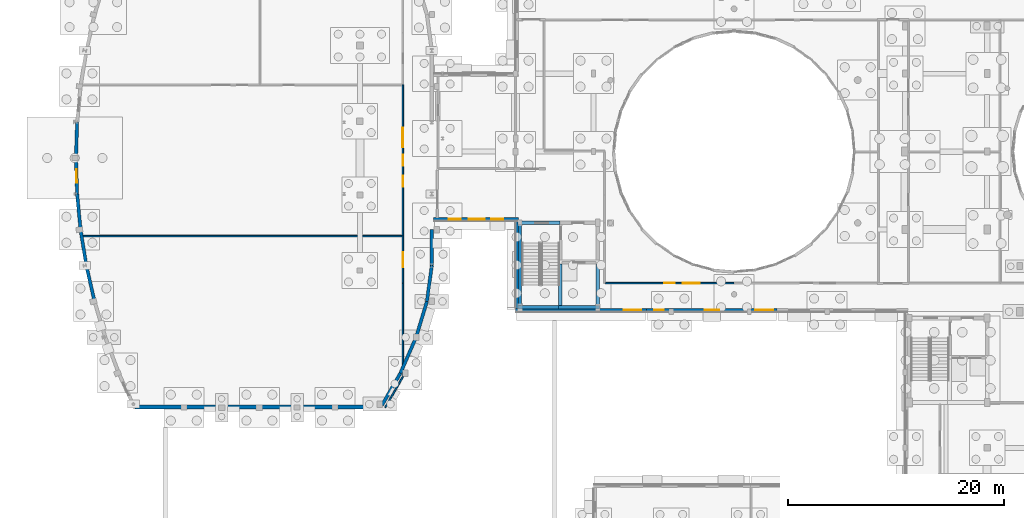
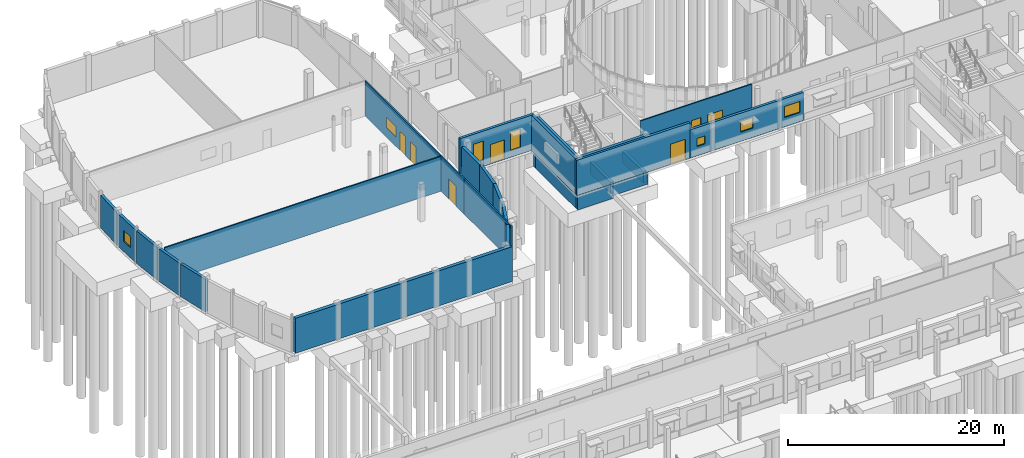
# One storey, part 63 of 93: 29 walls, 8 windows, 6 doors, 14 openings.
"""IFC4 building model written with IfcOpenShell, lengths in metres."""

from ifc_helpers import new_model, si_unit, direction, frame, frame_2d, origin, place, context, subcontext, project, spatial, rectangle, extrude, material, layer, layer_set, type_object, element, fill, save


model = new_model("IFC4")

# Units and contexts
model_context = context("Model", 3, precision=1e-05, world=origin(), true_north=direction((0.0, 1.0)))
body_context = subcontext(model_context, "Body", "Model", "MODEL_VIEW")
ifc_project = project(units=[si_unit("LENGTHUNIT", "METRE"), si_unit("AREAUNIT", "SQUARE_METRE"), si_unit("VOLUMEUNIT", "CUBIC_METRE"), si_unit("PLANEANGLEUNIT", "RADIAN"), si_unit("MASSUNIT", "GRAM", prefix="KILO")], contexts=[model_context])

# Site, building, storey
site_placement = place(None, origin())
site = spatial("IfcSite", under=ifc_project, at=site_placement, CompositionType="ELEMENT")
building_placement = place(site_placement, origin())
building = spatial("IfcBuilding", under=site, at=building_placement, Name="Kelanivale Promenade Academy", CompositionType="ELEMENT")
storey_placement = place(building_placement, origin())
storey = spatial("IfcBuildingStorey", under=building, at=storey_placement, Name="L00", CompositionType="ELEMENT", Elevation=0.0)

# Walls
ifc_material_1 = material(Name="Concrete C40/50", Category="concrete")
ifc_layer_1 = layer(ifc_material_1, 0.330078125)
ifc_layer_set_1 = layer_set([ifc_layer_1], Name="Concrete C40/50")
wall_type_1 = type_object("IfcWallType", Name="CW-S1 Wall 330mm", PredefinedType="SHEAR", material=ifc_layer_set_1)
wall_1_placement = place(storey_placement, frame((47.155029296875, 42.39990234375, -1.550048828125), z_axis=(0.0, 0.0, 1.0), x_axis=(1.0, 0.0, 0.0)))
element("IfcWall", 1, at=wall_1_placement, inside=storey, type_object=wall_type_1, Name="CORE-6 lift pit wall", PredefinedType="SHEAR", context=body_context, shape_type="SweptSolid", body=[
    extrude(rectangle(XDim=3.81005859375, YDim=0.330078125, at=frame_2d((1.905029296875, 0.0))), origin(), (0.0, 0.0, 1.0), 1.300048828125),
])
for number, where, z_axis, x_axis, name in (
    (2, (47.320068359375, 42.56494140625, -1.550048828125), (0.0, 0.0, 1.0), (0.0, 1.0, 0.0), "CORE-6 lift pit wall"),
    (3, (50.800048828125, 42.56494140625, -1.550048828125), (0.0, 0.0, 1.0), (0.0, 1.0, 0.0), "CORE-6 lift pit wall"),
):
    element("IfcWall", number, at=place(storey_placement, frame(where, z_axis=z_axis, x_axis=x_axis)), inside=storey, type_object=wall_type_1, Name=name, PredefinedType="SHEAR", context=body_context, shape_type="SweptSolid", body=[
        extrude(rectangle(XDim=3.860107421875, YDim=0.330078125, at=frame_2d((1.93017578125, 0.0))), origin(), (0.0, 0.0, 1.0), 1.300048828125),
    ])
wall_2_placement = place(storey_placement, frame((43.60009765625, 42.56494140625, -1.85009765625), z_axis=(0.0, 0.0, 1.0), x_axis=(0.0, 1.0, 0.0)))
element("IfcWall", 4, at=wall_2_placement, inside=storey, type_object=wall_type_1, Name="CORE-6 core raft starter wall", PredefinedType="SHEAR", context=body_context, shape_type="SweptSolid", body=[
    extrude(rectangle(XDim=7.469970703125, YDim=0.330078125, at=frame_2d((3.73486328125, 0.0))), origin(), (0.0, 0.0, 1.0), 1.60009765625),
])
for number, where, z_axis, x_axis, name in (
    (5, (43.43505859375, 42.39990234375, -1.85009765625), (0.0, 0.0, 1.0), (1.0, 0.0, 0.0), "CORE-6 core raft starter wall"),
    (6, (43.43505859375, 50.199951171875, -1.85009765625), (0.0, 0.0, 1.0), (1.0, 0.0, 0.0), "CORE-6 core raft starter wall"),
):
    element("IfcWall", number, at=place(storey_placement, frame(where, z_axis=z_axis, x_axis=x_axis)), inside=storey, type_object=wall_type_1, Name=name, PredefinedType="SHEAR", context=body_context, shape_type="SweptSolid", body=[
        extrude(rectangle(XDim=3.864990234375, YDim=0.330078125, at=frame_2d((1.9326171875, 0.0))), origin(), (0.0, 0.0, 1.0), 1.60009765625),
    ])
wall_3_placement = place(storey_placement, frame((43.43505859375, 42.39990234375, 0.0), z_axis=(0.0, 0.0, 1.0), x_axis=(1.0, 0.0, 0.0)))
element("IfcWall", 7, at=wall_3_placement, inside=storey, type_object=wall_type_1, Name="CORE-6 RC shear wall S L00", PredefinedType="SHEAR", context=body_context, shape_type="SweptSolid", body=[
    extrude(rectangle(XDim=7.530029296875, YDim=0.330078125, at=frame_2d((3.76513671875, 0.0))), origin(), (0.0, 0.0, 1.0), 3.97998046875),
])
wall_4_placement = place(storey_placement, frame((43.60009765625, 42.56494140625, 0.0), z_axis=(0.0, 0.0, 1.0), x_axis=(0.0, 1.0, 0.0)))
element("IfcWall", 8, at=wall_4_placement, inside=storey, type_object=wall_type_1, Name="CORE-6 RC shear wall W L00", PredefinedType="SHEAR", context=body_context, shape_type="SweptSolid", body=[
    extrude(rectangle(XDim=7.469970703125, YDim=0.330078125, at=frame_2d((3.73486328125, 0.0))), origin(), (0.0, 0.0, 1.0), 3.97998046875),
])
ifc_layer_2 = layer(ifc_material_1, 0.360107421875)
ifc_layer_set_2 = layer_set([ifc_layer_2], Name="Concrete C40/50")
wall_type_2 = type_object("IfcWallType", Name="ESW-01 Wall 360mm", PredefinedType="SHEAR", material=ifc_layer_set_2)
wall_5_placement = place(storey_placement, frame((8.011962890625, 33.179931640625, 0.0), z_axis=(0.0, 0.0, 1.0), x_axis=(1.0, 0.0, 0.0)))
element("IfcWall", 9, at=wall_5_placement, inside=storey, type_object=wall_type_2, Name="Sports Hall Crescent Pavilion gable wall L00", PredefinedType="SHEAR", context=body_context, shape_type="SweptSolid", body=[
    extrude(rectangle(XDim=23.137939453125, YDim=0.360107421875, at=frame_2d((11.56884765625, 0.0))), origin(), (0.0, 0.0, 1.0), 3.93505859375),
])
ifc_material_2 = material(Name="Insulated terracotta-clad masonry wall 300 mm", Category="masonry")
ifc_layer_3 = layer(ifc_material_2, 0.300048828125)
ifc_layer_set_3 = layer_set([ifc_layer_3], Name="Insulated terracotta-clad masonry wall 300 mm")
wall_type_3 = type_object("IfcWallType", Name="EW-01 Wall 300mm", PredefinedType="SOLIDWALL", material=ifc_layer_set_3)
wall_6_placement = place(storey_placement, frame((3.509033203125, 46.257080078125, 0.0), z_axis=(0.0, 0.0, 1.0), x_axis=(0.223259599234, -0.974759022195, 0.0)))
element("IfcWall", 10, at=wall_6_placement, inside=storey, type_object=wall_type_3, Name="Sports Hall Crescent Pavilion curved terracotta wall L00", PredefinedType="SOLIDWALL", context=body_context, shape_type="SweptSolid", body=[
    extrude(rectangle(XDim=3.399658203125, YDim=0.300048828125, at=frame_2d((1.69970703125, 0.0))), origin(), (0.0, 0.0, 1.0), 3.679931640625),
])
wall_7_placement = place(storey_placement, frame((2.97412109375, 49.571044921875, 0.0), z_axis=(0.0, 0.0, 1.0), x_axis=(0.159349054769, -0.987222304623, 0.0)))
element("IfcWall", 11, at=wall_7_placement, inside=storey, type_object=wall_type_3, Name="Sports Hall Crescent Pavilion curved terracotta wall L00", PredefinedType="SOLIDWALL", context=body_context, shape_type="SweptSolid", body=[
    extrude(rectangle(XDim=3.35693359375, YDim=0.300048828125, at=frame_2d((1.678466796875, 0.0))), origin(), (0.0, 0.0, 1.0), 3.679931640625),
])
wall_8_placement = place(storey_placement, frame((2.656005859375, 52.885986328125, 0.0), z_axis=(0.0, 0.0, 1.0), x_axis=(0.095525216858, -0.995427010355, 0.0)))
element("IfcWall", 12, at=wall_8_placement, inside=storey, type_object=wall_type_3, Name="Sports Hall Crescent Pavilion curved terracotta wall L00", PredefinedType="SOLIDWALL", context=body_context, shape_type="SweptSolid", body=[
    extrude(rectangle(XDim=3.330078125, YDim=0.300048828125, at=frame_2d((1.6650390625, 0.0))), origin(), (0.0, 0.0, 1.0), 3.679931640625),
])

# Wall, opening, window
wall_9_placement = place(storey_placement, frame((2.550048828125, 56.199951171875, 0.0), z_axis=(0.0, 0.0, 1.0), x_axis=(0.031956559473, -0.999489258725, 0.0)))
wall_9 = element("IfcWall", 13, at=wall_9_placement, inside=storey, type_object=wall_type_3, Name="Sports Hall Crescent Pavilion curved terracotta wall L00", PredefinedType="SOLIDWALL", context=body_context, shape_type="SweptSolid", body=[
    extrude(rectangle(XDim=3.315673828125, YDim=0.300048828125, at=frame_2d((1.65771484375, 0.0))), origin(), (0.0, 0.0, 1.0), 3.679931640625),
])
opening_1_placement = place(wall_9_placement, frame((1.032958984375, 0.0, 1.14990234375)))
opening_1 = element("IfcOpeningElement", 14, at=opening_1_placement, cuts=wall_9, Name="Opening WT-20", PredefinedType="OPENING", context=body_context, shape_type="SweptSolid", body=[
    extrude(rectangle(XDim=1.25, YDim=1.25, at=frame_2d((0.625, 0.625))), frame((0.0, 0.16015625, 0.0), z_axis=(0.0, -1.0, 0.0), x_axis=(1.0, 0.0, 0.0)), (0.0, 0.0, 1.0), 0.320068359375),
])
ifc_material_3 = material(Name="Bronze anodised aluminium frame with low-E laminated glass", Category="aluminium")
window_type_1 = type_object("IfcWindowType", Name="WT-20 Window 1250x1250", PartitioningType="SINGLE_PANEL", PredefinedType="WINDOW", material=ifc_material_3)
window_1_placement = place(opening_1_placement, origin())
window_1 = element("IfcWindow", 15, at=window_1_placement, inside=storey, type_object=window_type_1, Name="Window WT-20", OverallHeight=1.25, OverallWidth=1.25, PartitioningType="SINGLE_PANEL", PredefinedType="WINDOW", context=body_context, shape_type="SweptSolid", body=[
    extrude(rectangle(XDim=1.25, YDim=1.25, at=frame_2d((0.625, 0.625))), frame((0.0, 0.030029296875, 0.0), z_axis=(0.0, -1.0, 0.0), x_axis=(1.0, 0.0, 0.0)), (0.0, 0.0, 1.0), 0.06005859375),
])
fill(opening_1, window_1)

# Walls
wall_10_placement = place(storey_placement, frame((2.656005859375, 59.513916015625, 0.0), z_axis=(0.0, 0.0, 1.0), x_axis=(-0.031956559473, -0.999489258725, 0.0)))
element("IfcWall", 16, at=wall_10_placement, inside=storey, type_object=wall_type_3, Name="Sports Hall Crescent Pavilion curved terracotta wall L00", PredefinedType="SOLIDWALL", context=body_context, shape_type="SweptSolid", body=[
    extrude(rectangle(XDim=3.315673828125, YDim=0.300048828125, at=frame_2d((1.65771484375, 0.0))), origin(), (0.0, 0.0, 1.0), 3.679931640625),
])
wall_11_placement = place(storey_placement, frame((30.84912109375, 33.346923828125, 0.0), z_axis=(0.0, 0.0, 1.0), x_axis=(0.497345429475, 0.867552605771, 0.0)))
element("IfcWall", 17, at=wall_11_placement, inside=storey, type_object=wall_type_3, Name="Sports Hall Crescent Pavilion inner crescent wall L00", PredefinedType="SOLIDWALL", context=body_context, shape_type="SweptSolid", body=[
    extrude(rectangle(XDim=3.419921875, YDim=0.300048828125, at=frame_2d((1.7099609375, 0.0))), origin(), (0.0, 0.0, 1.0), 3.93505859375),
])
wall_12_placement = place(storey_placement, frame((32.550048828125, 36.31396484375, 0.0), z_axis=(0.0, 0.0, 1.0), x_axis=(0.400740958437, 0.916191401526, 0.0)))
element("IfcWall", 18, at=wall_12_placement, inside=storey, type_object=wall_type_3, Name="Sports Hall Crescent Pavilion inner crescent wall L00", PredefinedType="SOLIDWALL", context=body_context, shape_type="SweptSolid", body=[
    extrude(rectangle(XDim=3.6181640625, YDim=0.300048828125, at=frame_2d((1.80908203125, 0.0))), origin(), (0.0, 0.0, 1.0), 3.679931640625),
])
wall_13_placement = place(storey_placement, frame((34.0, 39.62890625, 0.0), z_axis=(0.0, 0.0, 1.0), x_axis=(0.288868004026, 0.957368934241, 0.0)))
element("IfcWall", 19, at=wall_13_placement, inside=storey, type_object=wall_type_3, Name="Sports Hall Crescent Pavilion inner crescent wall L00", PredefinedType="SOLIDWALL", context=body_context, shape_type="SweptSolid", body=[
    extrude(rectangle(XDim=3.461669921875, YDim=0.300048828125, at=frame_2d((1.73095703125, 0.0))), origin(), (0.0, 0.0, 1.0), 3.679931640625),
])
wall_14_placement = place(storey_placement, frame((35.0, 42.943115234375, 0.0), z_axis=(0.0, 0.0, 1.0), x_axis=(0.134539839792, 0.990908185206, 0.0)))
element("IfcWall", 20, at=wall_14_placement, inside=storey, type_object=wall_type_3, Name="Sports Hall Crescent Pavilion inner crescent wall L00", PredefinedType="SOLIDWALL", context=body_context, shape_type="SweptSolid", body=[
    extrude(rectangle(XDim=3.344482421875, YDim=0.300048828125, at=frame_2d((1.67236328125, 0.0))), origin(), (0.0, 0.0, 1.0), 3.679931640625),
])
wall_15_placement = place(storey_placement, frame((35.449951171875, 46.257080078125, 0.0), z_axis=(0.0, 0.0, 1.0), x_axis=(0.0, 1.0, 0.0)))
element("IfcWall", 21, at=wall_15_placement, inside=storey, type_object=wall_type_3, Name="Sports Hall Crescent Pavilion inner crescent wall L00", PredefinedType="SOLIDWALL", context=body_context, shape_type="SweptSolid", body=[
    extrude(rectangle(XDim=3.31396484375, YDim=0.300048828125, at=frame_2d((1.656982421875, 0.0))), origin(), (0.0, 0.0, 1.0), 3.679931640625),
])

# Wall, openings, door, windows
ifc_material_4 = material(Name="Insulated ivory stucco masonry wall 280 mm", Category="masonry")
ifc_layer_4 = layer(ifc_material_4, 0.280029296875)
ifc_layer_set_4 = layer_set([ifc_layer_4], Name="Insulated ivory stucco masonry wall 280 mm")
wall_type_4 = type_object("IfcWallType", Name="EW-02 Wall 280mm", PredefinedType="SOLIDWALL", material=ifc_layer_set_4)
wall_16_placement = place(storey_placement, frame((35.60009765625, 50.5400390625, 0.0), z_axis=(0.0, 0.0, 1.0), x_axis=(1.0, 0.0, 0.0)))
wall_16 = element("IfcWall", 22, at=wall_16_placement, inside=storey, type_object=wall_type_4, Name="L00 exterior facade wall EW-L00-ORT-0317", PredefinedType="SOLIDWALL", context=body_context, shape_type="SweptSolid", body=[
    extrude(rectangle(XDim=7.8798828125, YDim=0.280029296875, at=frame_2d((3.93994140625, 0.0))), origin(), (0.0, 0.0, 1.0), 3.97998046875),
])
opening_2_placement = place(wall_16_placement, frame((3.25, 0.0, 0.0)))
opening_2 = element("IfcOpeningElement", 23, at=opening_2_placement, cuts=wall_16, Name="Opening ED-10", PredefinedType="OPENING", context=body_context, shape_type="SweptSolid", body=[
    extrude(rectangle(XDim=1.5, YDim=2.199951171875, at=frame_2d((0.75, 1.10009765625))), frame((0.0, 0.14990234375, 0.0), z_axis=(0.0, -1.0, 0.0), x_axis=(1.0, 0.0, 0.0)), (0.0, 0.0, 1.0), 0.300048828125),
])
opening_3_placement = place(wall_16_placement, frame((1.419921875, 0.0, 0.75)))
opening_3 = element("IfcOpeningElement", 24, at=opening_3_placement, cuts=wall_16, Name="Opening WT-17", PredefinedType="OPENING", context=body_context, shape_type="SweptSolid", body=[
    extrude(rectangle(XDim=1.10009765625, YDim=2.10009765625, at=frame_2d((0.550048828125, 1.050048828125))), frame((0.0, 0.14990234375, 0.0), z_axis=(0.0, -1.0, 0.0), x_axis=(1.0, 0.0, 0.0)), (0.0, 0.0, 1.0), 0.300048828125),
])
opening_4_placement = place(wall_16_placement, frame((5.360107421875, 0.0, 0.75)))
opening_4 = element("IfcOpeningElement", 25, at=opening_4_placement, cuts=wall_16, Name="Opening WT-17", PredefinedType="OPENING", context=body_context, shape_type="SweptSolid", body=[
    extrude(rectangle(XDim=1.10009765625, YDim=2.10009765625, at=frame_2d((0.550048828125, 1.050048828125))), frame((0.0, 0.14990234375, 0.0), z_axis=(0.0, -1.0, 0.0), x_axis=(1.0, 0.0, 0.0)), (0.0, 0.0, 1.0), 0.300048828125),
])
ifc_material_5 = material(Name="Bronze anodised aluminium and laminated glass", Category="aluminium")
door_type_1 = type_object("IfcDoorType", Name="DT-X05 Door 1500x2200", OperationType="NOTDEFINED", PredefinedType="DOOR", material=ifc_material_5)
door_1_placement = place(opening_2_placement, frame((1.5, 0.0, 0.0), z_axis=(0.0, 0.0, 1.0), x_axis=(-1.0, 0.0, 0.0)))
door_1 = element("IfcDoor", 26, at=door_1_placement, inside=storey, type_object=door_type_1, Name="West Sports Foyer final exit door ED-10", OperationType="DOUBLE_DOOR_SINGLE_SWING", OverallHeight=2.199951171875, OverallWidth=1.5, PredefinedType="DOOR", context=body_context, shape_type="SweptSolid", body=[
    extrude(rectangle(XDim=1.5, YDim=2.199951171875, at=frame_2d((0.75, 1.10009765625))), frame((0.0, 0.02490234375, 0.0), z_axis=(0.0, -1.0, 0.0), x_axis=(1.0, 0.0, 0.0)), (0.0, 0.0, 1.0), 0.050048828125),
])
fill(opening_2, door_1)
window_type_2 = type_object("IfcWindowType", Name="WT-17 Window 1100x2100", PartitioningType="SINGLE_PANEL", PredefinedType="WINDOW", material=ifc_material_3)
window_2_placement = place(opening_3_placement, origin())
window_2 = element("IfcWindow", 27, at=window_2_placement, inside=storey, type_object=window_type_2, Name="Window WT-17", OverallHeight=2.10009765625, OverallWidth=1.10009765625, PartitioningType="SINGLE_PANEL", PredefinedType="WINDOW", context=body_context, shape_type="SweptSolid", body=[
    extrude(rectangle(XDim=1.10009765625, YDim=2.10009765625, at=frame_2d((0.550048828125, 1.050048828125))), frame((0.0, 0.030029296875, 0.0), z_axis=(0.0, -1.0, 0.0), x_axis=(1.0, 0.0, 0.0)), (0.0, 0.0, 1.0), 0.06005859375),
])
fill(opening_3, window_2)
window_3_placement = place(opening_4_placement, origin())
window_3 = element("IfcWindow", 28, at=window_3_placement, inside=storey, type_object=window_type_2, Name="Window WT-17", OverallHeight=2.10009765625, OverallWidth=1.10009765625, PartitioningType="SINGLE_PANEL", PredefinedType="WINDOW", context=body_context, shape_type="SweptSolid", body=[
    extrude(rectangle(XDim=1.10009765625, YDim=2.10009765625, at=frame_2d((0.550048828125, 1.050048828125))), frame((0.0, 0.030029296875, 0.0), z_axis=(0.0, -1.0, 0.0), x_axis=(1.0, 0.0, 0.0)), (0.0, 0.0, 1.0), 0.06005859375),
])
fill(opening_4, window_3)

# Wall
wall_17_placement = place(storey_placement, frame((43.340087890625, 50.39990234375, 0.0), z_axis=(0.0, 0.0, 1.0), x_axis=(0.0, -1.0, 0.0)))
element("IfcWall", 29, at=wall_17_placement, inside=storey, type_object=wall_type_4, Name="L00 exterior facade wall EW-L00-ORT-0318", PredefinedType="SOLIDWALL", context=body_context, shape_type="SweptSolid", body=[
    extrude(rectangle(XDim=8.119873046875, YDim=0.280029296875, at=frame_2d((4.06005859375, 0.0))), origin(), (0.0, 0.0, 1.0), 3.97998046875),
])

# Wall, opening, door
wall_18_placement = place(storey_placement, frame((43.199951171875, 42.139892578125, 0.0), z_axis=(0.0, 0.0, 1.0), x_axis=(1.0, 0.0, 0.0)))
wall_18 = element("IfcWall", 30, at=wall_18_placement, inside=storey, type_object=wall_type_4, Name="L00 exterior facade wall EW-L00-ORT-0319", PredefinedType="SOLIDWALL", context=body_context, shape_type="SweptSolid", body=[
    extrude(rectangle(XDim=12.093017578125, YDim=0.280029296875, at=frame_2d((6.04638671875, 0.0))), origin(), (0.0, 0.0, 1.0), 3.97998046875),
])
opening_5_placement = place(wall_18_placement, frame((10.0, 0.0, 0.0)))
opening_5 = element("IfcOpeningElement", 31, at=opening_5_placement, cuts=wall_18, Name="Opening ED-07", PredefinedType="OPENING", context=body_context, shape_type="SweptSolid", body=[
    extrude(rectangle(XDim=1.60009765625, YDim=2.300048828125, at=frame_2d((0.800048828125, 1.14990234375))), frame((0.0, 0.14990234375, 0.0), z_axis=(0.0, -1.0, 0.0), x_axis=(1.0, 0.0, 0.0)), (0.0, 0.0, 1.0), 0.300048828125),
])
door_type_2 = type_object("IfcDoorType", Name="DT-X02 Door 1600x2300", OperationType="NOTDEFINED", PredefinedType="DOOR", material=ifc_material_5)
door_2_placement = place(opening_5_placement, frame((1.60009765625, 0.0, 0.0), z_axis=(0.0, 0.0, 1.0), x_axis=(-1.0, 0.0, 0.0)))
door_2 = element("IfcDoor", 32, at=door_2_placement, inside=storey, type_object=door_type_2, Name="South-west courtyard exit discharge door ED-07", OperationType="DOUBLE_DOOR_SINGLE_SWING", OverallHeight=2.300048828125, OverallWidth=1.60009765625, PredefinedType="DOOR", context=body_context, shape_type="SweptSolid", body=[
    extrude(rectangle(XDim=1.60009765625, YDim=2.300048828125, at=frame_2d((0.800048828125, 1.14990234375))), frame((0.0, 0.02490234375, 0.0), z_axis=(0.0, -1.0, 0.0), x_axis=(1.0, 0.0, 0.0)), (0.0, 0.0, 1.0), 0.050048828125),
])
fill(opening_5, door_2)

# Wall, openings, windows
wall_19_placement = place(storey_placement, frame((55.29296875, 42.139892578125, 0.0), z_axis=(0.0, 0.0, 1.0), x_axis=(1.0, 0.0, 0.0)))
wall_19 = element("IfcWall", 33, at=wall_19_placement, inside=storey, type_object=wall_type_4, Name="L00 exterior facade wall EW-L00-ORT-0320", PredefinedType="SOLIDWALL", context=body_context, shape_type="SweptSolid", body=[
    extrude(rectangle(XDim=12.093994140625, YDim=0.280029296875, at=frame_2d((6.046875, 0.0))), origin(), (0.0, 0.0, 1.0), 3.175048828125),
])
opening_6_placement = place(wall_19_placement, frame((0.716064453125, 0.0, 1.050048828125)))
opening_6 = element("IfcOpeningElement", 34, at=opening_6_placement, cuts=wall_19, Name="Opening WT-10", PredefinedType="OPENING", context=body_context, shape_type="SweptSolid", body=[
    extrude(rectangle(XDim=0.89990234375, YDim=0.89990234375, at=frame_2d((0.449951171875, 0.449951171875))), frame((0.0, 0.14990234375, 0.0), z_axis=(0.0, -1.0, 0.0), x_axis=(1.0, 0.0, 0.0)), (0.0, 0.0, 1.0), 0.300048828125),
])
opening_7_placement = place(wall_19_placement, frame((5.3720703125, 0.0, 1.050048828125)))
opening_7 = element("IfcOpeningElement", 35, at=opening_7_placement, cuts=wall_19, Name="Opening WT-34", PredefinedType="OPENING", context=body_context, shape_type="SweptSolid", body=[
    extrude(rectangle(XDim=1.35009765625, YDim=1.199951171875, at=frame_2d((0.675048828125, 0.60009765625))), frame((0.0, 0.14990234375, 0.0), z_axis=(0.0, -1.0, 0.0), x_axis=(1.0, 0.0, 0.0)), (0.0, 0.0, 1.0), 0.300048828125),
])
opening_8_placement = place(wall_19_placement, frame((10.083984375, 0.0, 1.050048828125)))
opening_8 = element("IfcOpeningElement", 36, at=opening_8_placement, cuts=wall_19, Name="Opening WT-35", PredefinedType="OPENING", context=body_context, shape_type="SweptSolid", body=[
    extrude(rectangle(XDim=1.64990234375, YDim=1.25, at=frame_2d((0.824951171875, 0.625))), frame((0.0, 0.14990234375, 0.0), z_axis=(0.0, -1.0, 0.0), x_axis=(1.0, 0.0, 0.0)), (0.0, 0.0, 1.0), 0.300048828125),
])
window_type_3 = type_object("IfcWindowType", Name="WT-10 Window 900x900", PartitioningType="SINGLE_PANEL", PredefinedType="WINDOW", material=ifc_material_3)
window_4_placement = place(opening_6_placement, origin())
window_4 = element("IfcWindow", 37, at=window_4_placement, inside=storey, type_object=window_type_3, Name="Window WT-10", OverallHeight=0.89990234375, OverallWidth=0.89990234375, PartitioningType="SINGLE_PANEL", PredefinedType="WINDOW", context=body_context, shape_type="SweptSolid", body=[
    extrude(rectangle(XDim=0.89990234375, YDim=0.89990234375, at=frame_2d((0.449951171875, 0.449951171875))), frame((0.0, 0.030029296875, 0.0), z_axis=(0.0, -1.0, 0.0), x_axis=(1.0, 0.0, 0.0)), (0.0, 0.0, 1.0), 0.06005859375),
])
fill(opening_6, window_4)
window_type_4 = type_object("IfcWindowType", Name="WT-34 Window 1350x1200", PartitioningType="SINGLE_PANEL", PredefinedType="WINDOW", material=ifc_material_3)
window_5_placement = place(opening_7_placement, origin())
window_5 = element("IfcWindow", 38, at=window_5_placement, inside=storey, type_object=window_type_4, Name="Window WT-34", OverallHeight=1.199951171875, OverallWidth=1.35009765625, PartitioningType="SINGLE_PANEL", PredefinedType="WINDOW", context=body_context, shape_type="SweptSolid", body=[
    extrude(rectangle(XDim=1.35009765625, YDim=1.199951171875, at=frame_2d((0.675048828125, 0.60009765625))), frame((0.0, 0.030029296875, 0.0), z_axis=(0.0, -1.0, 0.0), x_axis=(1.0, 0.0, 0.0)), (0.0, 0.0, 1.0), 0.06005859375),
])
fill(opening_7, window_5)
window_type_5 = type_object("IfcWindowType", Name="WT-35 Window 1650x1250", PartitioningType="SINGLE_PANEL", PredefinedType="WINDOW", material=ifc_material_3)
window_6_placement = place(opening_8_placement, origin())
window_6 = element("IfcWindow", 39, at=window_6_placement, inside=storey, type_object=window_type_5, Name="Window WT-35", OverallHeight=1.25, OverallWidth=1.64990234375, PartitioningType="SINGLE_PANEL", PredefinedType="WINDOW", context=body_context, shape_type="SweptSolid", body=[
    extrude(rectangle(XDim=1.64990234375, YDim=1.25, at=frame_2d((0.824951171875, 0.625))), frame((0.0, 0.030029296875, 0.0), z_axis=(0.0, -1.0, 0.0), x_axis=(1.0, 0.0, 0.0)), (0.0, 0.0, 1.0), 0.06005859375),
])
fill(opening_8, window_6)

# Walls
ifc_material_6 = material(Name="Acoustic double-stud gypsum board partition 140 mm", Category="masonry")
ifc_layer_5 = layer(ifc_material_6, 0.139892578125)
ifc_layer_set_5 = layer_set([ifc_layer_5], Name="Acoustic double-stud gypsum board partition 140 mm")
wall_type_5 = type_object("IfcWallType", Name="IW-04 Wall 140mm", PredefinedType="PARTITIONING", material=ifc_layer_set_5)
wall_20_placement = place(storey_placement, frame((31.14892578125, 33.139892578125, 0.0), z_axis=(0.0, 0.0, 1.0), x_axis=(0.497558552909, 0.867430392843, 0.0)))
element("IfcWall", 40, at=wall_20_placement, inside=storey, type_object=wall_type_5, Name="L00 partition Dance Movement Studio", PredefinedType="PARTITIONING", context=body_context, shape_type="SweptSolid", body=[
    extrude(rectangle(XDim=3.258056640625, YDim=0.139892578125, at=frame_2d((1.62890625, 0.0))), origin(), (0.0, 0.0, 1.0), 3.929931640625),
])
wall_21_placement = place(storey_placement, frame((32.77001953125, 35.966064453125, 0.0), z_axis=(0.0, 0.0, 1.0), x_axis=(0.0, 1.0, 0.0)))
element("IfcWall", 41, at=wall_21_placement, inside=storey, type_object=wall_type_5, Name="L00 partition Dance Movement Studio", PredefinedType="PARTITIONING", context=body_context, shape_type="SweptSolid", body=[
    extrude(rectangle(XDim=8.663818359375, YDim=0.139892578125, at=frame_2d((4.33203125, 0.0))), origin(), (0.0, 0.0, 1.0), 3.929931640625),
])

# Wall, opening, door
wall_22_placement = place(storey_placement, frame((32.77001953125, 44.6298828125, 0.0), z_axis=(0.0, 0.0, 1.0), x_axis=(0.0, 1.0, 0.0)))
wall_22 = element("IfcWall", 42, at=wall_22_placement, inside=storey, type_object=wall_type_5, Name="L00 partition Dance Movement Studio", PredefinedType="PARTITIONING", context=body_context, shape_type="SweptSolid", body=[
    extrude(rectangle(XDim=4.340087890625, YDim=0.139892578125, at=frame_2d((2.169921875, 0.0))), origin(), (0.0, 0.0, 1.0), 3.929931640625),
])
opening_9_placement = place(wall_22_placement, frame((1.4951171875, 0.0, 0.0)))
opening_9 = element("IfcOpeningElement", 43, at=opening_9_placement, cuts=wall_22, Name="Opening ID-L00-010", PredefinedType="OPENING", context=body_context, shape_type="SweptSolid", body=[
    extrude(rectangle(XDim=1.35009765625, YDim=2.25, at=frame_2d((0.675048828125, 1.125))), frame((0.0, 0.080078125, 0.0), z_axis=(0.0, -1.0, 0.0), x_axis=(1.0, 0.0, 0.0)), (0.0, 0.0, 1.0), 0.159912109375),
])
ifc_material_7 = material(Name="Solid-core tropical teak timber", Category="wood")
door_type_3 = type_object("IfcDoorType", Name="DT-I13 Door 1350x2250", OperationType="NOTDEFINED", PredefinedType="DOOR", material=ifc_material_7)
door_3_placement = place(opening_9_placement, origin())
door_3 = element("IfcDoor", 44, at=door_3_placement, inside=storey, type_object=door_type_3, Name="Dance Movement Studio door ID-L00-010", OperationType="DOUBLE_DOOR_SINGLE_SWING", OverallHeight=2.25, OverallWidth=1.35009765625, PredefinedType="DOOR", context=body_context, shape_type="SweptSolid", body=[
    extrude(rectangle(XDim=1.35009765625, YDim=2.25, at=frame_2d((0.675048828125, 1.125))), frame((0.0, 0.02490234375, 0.0), z_axis=(0.0, -1.0, 0.0), x_axis=(1.0, 0.0, 0.0)), (0.0, 0.0, 1.0), 0.050048828125),
])
fill(opening_9, door_3)

# Wall
wall_23_placement = place(storey_placement, frame((32.701904296875, 48.969970703125, 0.0), z_axis=(0.0, 0.0, 1.0), x_axis=(-1.0, 0.0, 0.0)))
element("IfcWall", 45, at=wall_23_placement, inside=storey, type_object=wall_type_5, Name="L00 partition Dance Movement Studio", PredefinedType="PARTITIONING", context=body_context, shape_type="SweptSolid", body=[
    extrude(rectangle(XDim=29.48095703125, YDim=0.139892578125, at=frame_2d((14.740478515625, 0.0))), origin(), (0.0, 0.0, 1.0), 3.929931640625),
])

# Wall, openings, doors, window
wall_24_placement = place(storey_placement, frame((32.77001953125, 49.030029296875, 0.0), z_axis=(0.0, 0.0, 1.0), x_axis=(0.0, 1.0, 0.0)))
wall_24 = element("IfcWall", 46, at=wall_24_placement, inside=storey, type_object=wall_type_5, Name="L00 partition PE Fitness Studio", PredefinedType="PARTITIONING", context=body_context, shape_type="SweptSolid", body=[
    extrude(rectangle(XDim=13.93994140625, YDim=0.139892578125, at=frame_2d((6.969970703125, 0.0))), origin(), (0.0, 0.0, 1.0), 3.929931640625),
])
opening_10_placement = place(wall_24_placement, frame((6.4599609375, 0.0, 0.0)))
opening_10 = element("IfcOpeningElement", 47, at=opening_10_placement, cuts=wall_24, Name="Opening ID-L00-011", PredefinedType="OPENING", context=body_context, shape_type="SweptSolid", body=[
    extrude(rectangle(XDim=1.02001953125, YDim=2.139892578125, at=frame_2d((0.510009765625, 1.06982421875))), frame((0.0, 0.080078125, 0.0), z_axis=(0.0, -1.0, 0.0), x_axis=(1.0, 0.0, 0.0)), (0.0, 0.0, 1.0), 0.159912109375),
])
opening_11_placement = place(wall_24_placement, frame((4.52197265625, 0.0, 0.0)))
opening_11 = element("IfcOpeningElement", 48, at=opening_11_placement, cuts=wall_24, Name="Opening ID-L00-012", PredefinedType="OPENING", context=body_context, shape_type="SweptSolid", body=[
    extrude(rectangle(XDim=1.02001953125, YDim=2.139892578125, at=frame_2d((0.510009765625, 1.06982421875))), frame((0.0, 0.080078125, 0.0), z_axis=(0.0, -1.0, 0.0), x_axis=(1.0, 0.0, 0.0)), (0.0, 0.0, 1.0), 0.159912109375),
])
opening_12_placement = place(wall_24_placement, frame((8.179931640625, 0.0, 1.050048828125)))
opening_12 = element("IfcOpeningElement", 49, at=opening_12_placement, cuts=wall_24, Name="Opening WT-I02", PredefinedType="OPENING", context=body_context, shape_type="SweptSolid", body=[
    extrude(rectangle(XDim=1.800048828125, YDim=1.199951171875, at=frame_2d((0.89990234375, 0.60009765625))), frame((0.0, 0.080078125, 0.0), z_axis=(0.0, -1.0, 0.0), x_axis=(1.0, 0.0, 0.0)), (0.0, 0.0, 1.0), 0.159912109375),
])
door_type_4 = type_object("IfcDoorType", Name="DT-I15 Door 1020x2140", OperationType="NOTDEFINED", PredefinedType="DOOR", material=ifc_material_7)
door_4_placement = place(opening_10_placement, origin())
door_4 = element("IfcDoor", 50, at=door_4_placement, inside=storey, type_object=door_type_4, Name="PE Fitness Studio door ID-L00-011", OperationType="SINGLE_SWING_RIGHT", OverallHeight=2.139892578125, OverallWidth=1.02001953125, PredefinedType="DOOR", context=body_context, shape_type="SweptSolid", body=[
    extrude(rectangle(XDim=1.02001953125, YDim=2.139892578125, at=frame_2d((0.510009765625, 1.06982421875))), frame((0.0, 0.02490234375, 0.0), z_axis=(0.0, -1.0, 0.0), x_axis=(1.0, 0.0, 0.0)), (0.0, 0.0, 1.0), 0.050048828125),
])
fill(opening_10, door_4)
door_5_placement = place(opening_11_placement, origin())
door_5 = element("IfcDoor", 51, at=door_5_placement, inside=storey, type_object=door_type_4, Name="PE Fitness Studio secondary door ID-L00-012", OperationType="SINGLE_SWING_RIGHT", OverallHeight=2.139892578125, OverallWidth=1.02001953125, PredefinedType="DOOR", context=body_context, shape_type="SweptSolid", body=[
    extrude(rectangle(XDim=1.02001953125, YDim=2.139892578125, at=frame_2d((0.510009765625, 1.06982421875))), frame((0.0, 0.02490234375, 0.0), z_axis=(0.0, -1.0, 0.0), x_axis=(1.0, 0.0, 0.0)), (0.0, 0.0, 1.0), 0.050048828125),
])
fill(opening_11, door_5)
window_type_6 = type_object("IfcWindowType", Name="WT-I02 Window 1800x1200", PartitioningType="SINGLE_PANEL", PredefinedType="WINDOW", material=ifc_material_3)
window_7_placement = place(opening_12_placement, origin())
window_7 = element("IfcWindow", 52, at=window_7_placement, inside=storey, type_object=window_type_6, Name="Interior observation window WT-I02", OverallHeight=1.199951171875, OverallWidth=1.800048828125, PartitioningType="SINGLE_PANEL", PredefinedType="WINDOW", context=body_context, shape_type="SweptSolid", body=[
    extrude(rectangle(XDim=1.800048828125, YDim=1.199951171875, at=frame_2d((0.89990234375, 0.60009765625))), frame((0.0, 0.030029296875, 0.0), z_axis=(0.0, -1.0, 0.0), x_axis=(1.0, 0.0, 0.0)), (0.0, 0.0, 1.0), 0.06005859375),
])
fill(opening_12, window_7)

# Wall, openings, door, window
wall_25_placement = place(storey_placement, frame((51.498046875, 44.6298828125, 0.0), z_axis=(0.0, 0.0, 1.0), x_axis=(1.0, 0.0, 0.0)))
wall_25 = element("IfcWall", 53, at=wall_25_placement, inside=storey, type_object=wall_type_5, Name="L00 partition Junior Classroom West A", PredefinedType="PARTITIONING", context=body_context, shape_type="SweptSolid", body=[
    extrude(rectangle(XDim=11.8720703125, YDim=0.139892578125, at=frame_2d((5.93603515625, 0.0))), origin(), (0.0, 0.0, 1.0), 3.97509765625),
])
opening_13_placement = place(wall_25_placement, frame((5.43603515625, 0.0, 0.0)))
opening_13 = element("IfcOpeningElement", 54, at=opening_13_placement, cuts=wall_25, Name="Opening ID-L00-035", PredefinedType="OPENING", context=body_context, shape_type="SweptSolid", body=[
    extrude(rectangle(XDim=1.0, YDim=2.10009765625, at=frame_2d((0.5, 1.050048828125))), frame((0.0, 0.080078125, 0.0), z_axis=(0.0, -1.0, 0.0), x_axis=(1.0, 0.0, 0.0)), (0.0, 0.0, 1.0), 0.159912109375),
])
opening_14_placement = place(wall_25_placement, frame((7.135986328125, 0.0, 1.050048828125)))
opening_14 = element("IfcOpeningElement", 55, at=opening_14_placement, cuts=wall_25, Name="Opening WT-I01", PredefinedType="OPENING", context=body_context, shape_type="SweptSolid", body=[
    extrude(rectangle(XDim=1.60009765625, YDim=1.10009765625, at=frame_2d((0.800048828125, 0.550048828125))), frame((0.0, 0.080078125, 0.0), z_axis=(0.0, -1.0, 0.0), x_axis=(1.0, 0.0, 0.0)), (0.0, 0.0, 1.0), 0.159912109375),
])
door_type_5 = type_object("IfcDoorType", Name="DT-I01 Door 1000x2100", OperationType="NOTDEFINED", PredefinedType="DOOR", material=ifc_material_7)
door_6_placement = place(opening_13_placement, origin())
door_6 = element("IfcDoor", 56, at=door_6_placement, inside=storey, type_object=door_type_5, Name="Junior Classroom West A door ID-L00-035", OperationType="SINGLE_SWING_LEFT", OverallHeight=2.10009765625, OverallWidth=1.0, PredefinedType="DOOR", context=body_context, shape_type="SweptSolid", body=[
    extrude(rectangle(XDim=1.0, YDim=2.10009765625, at=frame_2d((0.5, 1.050048828125))), frame((0.0, 0.02490234375, 0.0), z_axis=(0.0, -1.0, 0.0), x_axis=(1.0, 0.0, 0.0)), (0.0, 0.0, 1.0), 0.050048828125),
])
fill(opening_13, door_6)
window_type_7 = type_object("IfcWindowType", Name="WT-I01 Window 1600x1100", PartitioningType="SINGLE_PANEL", PredefinedType="WINDOW", material=ifc_material_3)
window_8_placement = place(opening_14_placement, origin())
window_8 = element("IfcWindow", 57, at=window_8_placement, inside=storey, type_object=window_type_7, Name="Interior observation window WT-I01", OverallHeight=1.10009765625, OverallWidth=1.60009765625, PartitioningType="SINGLE_PANEL", PredefinedType="WINDOW", context=body_context, shape_type="SweptSolid", body=[
    extrude(rectangle(XDim=1.60009765625, YDim=1.10009765625, at=frame_2d((0.800048828125, 0.550048828125))), frame((0.0, 0.030029296875, 0.0), z_axis=(0.0, -1.0, 0.0), x_axis=(1.0, 0.0, 0.0)), (0.0, 0.0, 1.0), 0.06005859375),
])
fill(opening_14, window_8)

save(model, "model.ifc")
